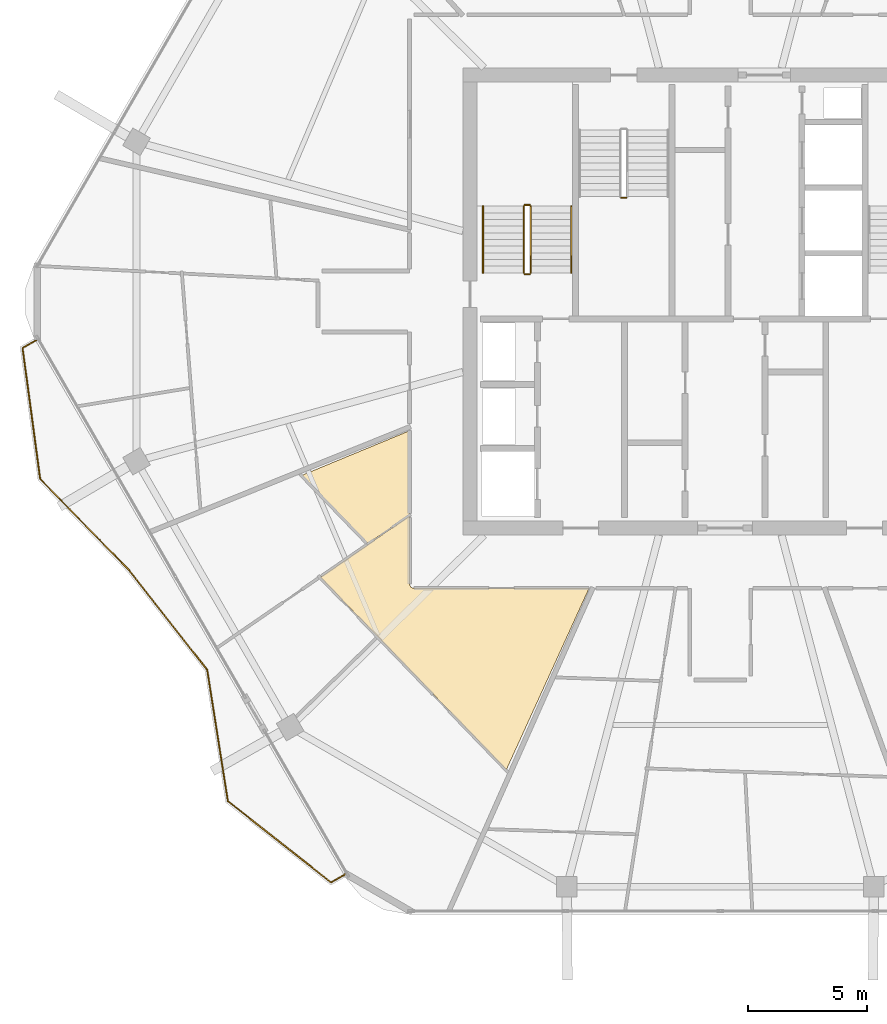
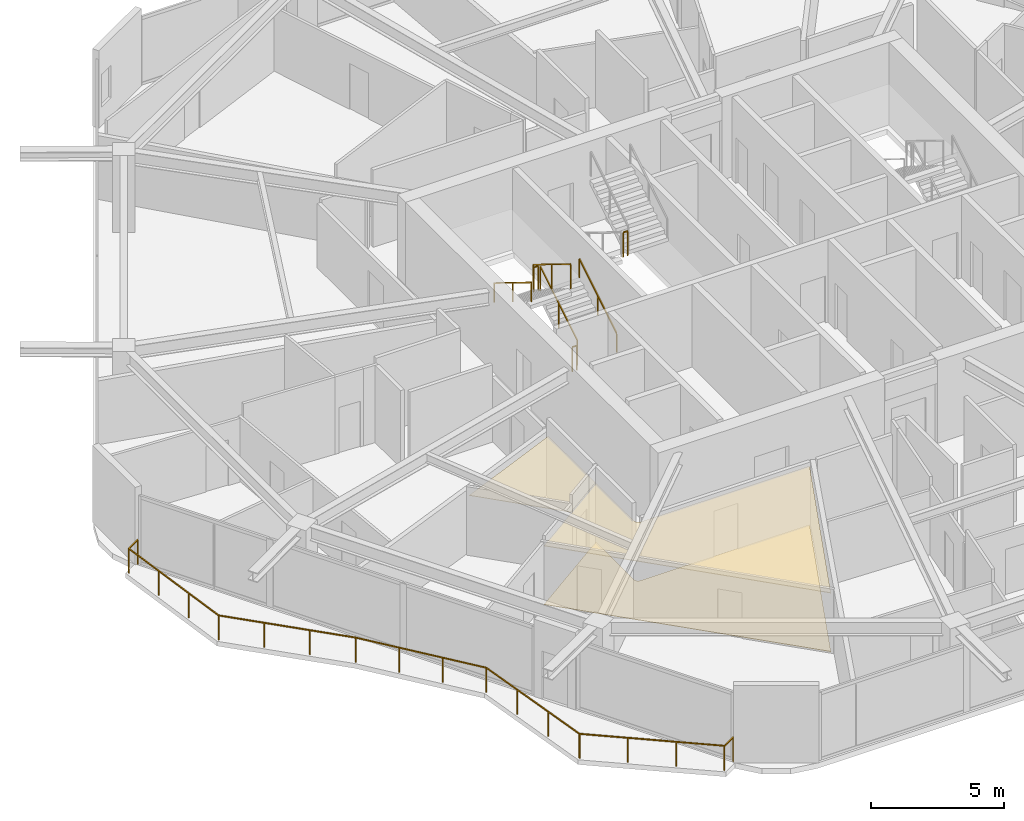
# One storey, part 24 of 26: 8 railings, 3 coverings.
"""IFC4 building model written with IfcOpenShell, lengths in metres."""

from ifc_helpers import new_model, si_unit, direction, frame, origin, origin_2d, place, context, subcontext, project, spatial, polyline, rectangle, outline, extrude, material, layer, layer_set, type_object, element, save


model = new_model("IFC4")

# Units and contexts
model_context = context("Model", 3, precision=1e-05, world=origin(), true_north=direction((0.0, 1.0)))
body_context = subcontext(model_context, "Body", "Model", "MODEL_VIEW")
ifc_project = project(units=[si_unit("LENGTHUNIT", "METRE"), si_unit("AREAUNIT", "SQUARE_METRE"), si_unit("VOLUMEUNIT", "CUBIC_METRE"), si_unit("PLANEANGLEUNIT", "RADIAN"), si_unit("MASSUNIT", "GRAM", prefix="KILO")], contexts=[model_context])

# Site, building, storey
site_placement = place(None, origin())
site = spatial("IfcSite", under=ifc_project, at=site_placement, CompositionType="ELEMENT")
building_placement = place(site_placement, origin())
building = spatial("IfcBuilding", under=site, at=building_placement, Name="Zuhravey Tower", CompositionType="ELEMENT")
storey_placement = place(building_placement, frame((0.0, 0.0, 295.800048828125)))
storey = spatial("IfcBuildingStorey", under=building, at=storey_placement, Name="L75", CompositionType="ELEMENT", Elevation=295.800048828125)

# Coverings
ifc_material_1 = material(Name="Mineral-fibre acoustic ceiling tile")
ifc_layer_1 = layer(ifc_material_1, 0.02490234375)
ifc_layer_set_1 = layer_set([ifc_layer_1], Name="Mineral-fibre acoustic ceiling tile")
covering_type_1 = type_object("IfcCoveringType", Name="Acoustic Suspended Ceiling", PredefinedType="CEILING", material=ifc_layer_set_1)
covering_1_placement = place(storey_placement, frame((0.0, 0.0, 2.68994140625)))
element("IfcCovering", 1, at=covering_1_placement, inside=storey, type_object=covering_type_1, Name="L75 Acoustic Suspended Ceiling CLG1", PredefinedType="CEILING", context=body_context, shape_type="SweptSolid", body=[
    extrude(outline(polyline([(22.969970703125, 23.007080078125), (22.969970703125, 20.14892578125), (22.97802734375, 20.0966796875), (23.0009765625, 20.04931640625), (23.03662109375, 20.01025390625), (23.08203125, 19.9833984375), (23.115966796875, 19.973388671875), (23.14990234375, 19.969970703125), (30.49560546875, 19.969970703125), (27.0263671875, 12.357177734375), (19.228759765625, 20.431884765625), (22.969970703125, 23.007080078125)])), origin(), (0.0, 0.0, 1.0), 0.02490234375),
])
ifc_material_2 = material(Name="Porcelain tile finish")
ifc_layer_2 = layer(ifc_material_2, 0.02001953125)
ifc_layer_set_2 = layer_set([ifc_layer_2], Name="Porcelain tile finish")
covering_type_2 = type_object("IfcCoveringType", Name="Apartment Ondol Porcelain Flooring", PredefinedType="FLOORING", material=ifc_layer_set_2)
covering_2_placement = place(storey_placement, origin())
element("IfcCovering", 2, at=covering_2_placement, inside=storey, type_object=covering_type_2, Name="L75 Principal Room Acoustic Flooring", PredefinedType="FLOORING", context=body_context, shape_type="SweptSolid", body=[
    extrude(outline(polyline([(22.969970703125, 23.007080078125), (22.969970703125, 20.14892578125), (22.97802734375, 20.0966796875), (23.0009765625, 20.04931640625), (23.03662109375, 20.01025390625), (23.08203125, 19.9833984375), (23.115966796875, 19.973388671875), (23.14990234375, 19.969970703125), (30.49560546875, 19.969970703125), (27.0263671875, 12.357177734375), (19.228759765625, 20.431884765625), (22.969970703125, 23.007080078125)])), origin(), (0.0, 0.0, 1.0), 0.02001953125),
])

# Railing
ifc_material_3 = material(Name="Stainless steel 316 and laminated glass", Category="steel")
railing_type_1 = type_object("IfcRailingType", Name="Balcony & Terrace Guardrail 1150", PredefinedType="BALUSTRADE", material=ifc_material_3)
railing_1_placement = place(storey_placement, frame((20.25830078125, 7.968017578125, 0.0)))
element("IfcRailing", 3, at=railing_1_placement, inside=storey, type_object=railing_type_1, Name="L75 Face 4 Wave Balcony Guardrail GR1", PredefinedType="BALUSTRADE", context=body_context, shape_type="SweptSolid", body=[
    extrude(rectangle(XDim=0.048095703125, YDim=0.048095703125, at=origin_2d()), frame((-0.001708984375, -0.0009765625, 1.1259765625), z_axis=(-0.865931497966, -0.500162614387, 0.0), x_axis=(0.500162614387, -0.865931497966, 0.0)), (0.0, 0.0, 1.0), 0.668212890625),
    extrude(rectangle(XDim=0.048095703125, YDim=0.048095703125, at=origin_2d()), frame((-0.58349609375, -0.3349609375, 1.1259765625), z_axis=(-0.785703061159, 0.618603830966, 0.0), x_axis=(-0.618603830966, -0.785703061159, 0.0)), (0.0, 0.0, 1.0), 5.507080078125),
    extrude(rectangle(XDim=0.048095703125, YDim=0.048095703125, at=origin_2d()), frame((-4.912353515625, 3.074951171875, 1.1259765625), z_axis=(-0.155879378869, 0.987776097728, 0.0), x_axis=(-0.987776097728, -0.155879378869, 0.0)), (0.0, 0.0, 1.0), 5.57177734375),
    extrude(rectangle(XDim=0.048095703125, YDim=0.048095703125, at=origin_2d()), frame((-5.782470703125, 8.58203125, 1.1259765625), z_axis=(-0.616816111332, 0.787107289257, 0.0), x_axis=(-0.787107289257, -0.616816111332, 0.0)), (0.0, 0.0, 1.0), 5.296142578125),
    extrude(rectangle(XDim=0.048095703125, YDim=0.048095703125, at=origin_2d()), frame((-9.052001953125, 12.75390625, 1.1259765625), z_axis=(-0.697744170249, 0.716347033835, 0.0), x_axis=(-0.716347033835, -0.697744170249, 0.0)), (0.0, 0.0, 1.0), 5.3505859375),
    extrude(rectangle(XDim=0.048095703125, YDim=0.048095703125, at=origin_2d()), frame((-12.786865234375, 16.590087890625, 1.1259765625), z_axis=(-0.133173947443, 0.991092679684, 0.0), x_axis=(-0.991092679684, -0.133173947443, 0.0)), (0.0, 0.0, 1.0), 5.5361328125),
    extrude(rectangle(XDim=0.048095703125, YDim=0.048095703125, at=origin_2d()), frame((-13.522705078125, 22.079833984375, 1.1259765625), z_axis=(0.866137275136, 0.499806183056, 0.0), x_axis=(-0.499806183056, 0.866137275136, 0.0)), (0.0, 0.0, 1.0), 0.669189453125),
    extrude(rectangle(XDim=0.0419921875, YDim=0.0419921875, at=origin_2d()), origin(), (0.0, 0.0, 1.0), 1.099853515625),
    extrude(rectangle(XDim=0.0419921875, YDim=0.0419921875, at=origin_2d()), frame((-0.58203125, -0.336181640625, 0.0)), (0.0, 0.0, 1.0), 1.099853515625),
    extrude(rectangle(XDim=0.0419921875, YDim=0.0419921875, at=origin_2d()), frame((-2.025390625, 0.80029296875, 0.0)), (0.0, 0.0, 1.0), 1.099853515625),
    extrude(rectangle(XDim=0.0419921875, YDim=0.0419921875, at=origin_2d()), frame((-3.46875, 1.9365234375, 0.0)), (0.0, 0.0, 1.0), 1.099853515625),
    extrude(rectangle(XDim=0.0419921875, YDim=0.0419921875, at=origin_2d()), frame((-4.912109375, 3.072998046875, 0.0)), (0.0, 0.0, 1.0), 1.099853515625),
    extrude(rectangle(XDim=0.0419921875, YDim=0.0419921875, at=origin_2d()), frame((-5.201904296875, 4.908935546875, 0.0)), (0.0, 0.0, 1.0), 1.099853515625),
    extrude(rectangle(XDim=0.0419921875, YDim=0.0419921875, at=origin_2d()), frame((-5.491455078125, 6.74462890625, 0.0)), (0.0, 0.0, 1.0), 1.099853515625),
    extrude(rectangle(XDim=0.0419921875, YDim=0.0419921875, at=origin_2d()), frame((-5.78125, 8.58056640625, 0.0)), (0.0, 0.0, 1.0), 1.099853515625),
    extrude(rectangle(XDim=0.0419921875, YDim=0.0419921875, at=origin_2d()), frame((-6.87109375, 9.97119140625, 0.0)), (0.0, 0.0, 1.0), 1.099853515625),
    extrude(rectangle(XDim=0.0419921875, YDim=0.0419921875, at=origin_2d()), frame((-7.960693359375, 11.36181640625, 0.0)), (0.0, 0.0, 1.0), 1.099853515625),
    extrude(rectangle(XDim=0.0419921875, YDim=0.0419921875, at=origin_2d()), frame((-9.050537109375, 12.75244140625, 0.0)), (0.0, 0.0, 1.0), 1.099853515625),
    extrude(rectangle(XDim=0.0419921875, YDim=0.0419921875, at=origin_2d()), frame((-10.2958984375, 14.031005859375, 0.0)), (0.0, 0.0, 1.0), 1.099853515625),
    extrude(rectangle(XDim=0.0419921875, YDim=0.0419921875, at=origin_2d()), frame((-11.541259765625, 15.3095703125, 0.0)), (0.0, 0.0, 1.0), 1.099853515625),
    extrude(rectangle(XDim=0.0419921875, YDim=0.0419921875, at=origin_2d()), frame((-12.78662109375, 16.588134765625, 0.0)), (0.0, 0.0, 1.0), 1.099853515625),
    extrude(rectangle(XDim=0.0419921875, YDim=0.0419921875, at=origin_2d()), frame((-13.032470703125, 18.41845703125, 0.0)), (0.0, 0.0, 1.0), 1.099853515625),
    extrude(rectangle(XDim=0.0419921875, YDim=0.0419921875, at=origin_2d()), frame((-13.278564453125, 20.24853515625, 0.0)), (0.0, 0.0, 1.0), 1.099853515625),
    extrude(rectangle(XDim=0.0419921875, YDim=0.0419921875, at=origin_2d()), frame((-13.5244140625, 22.078857421875, 0.0)), (0.0, 0.0, 1.0), 1.099853515625),
    extrude(rectangle(XDim=0.0419921875, YDim=0.0419921875, at=origin_2d()), frame((-12.94140625, 22.415283203125, 0.0)), (0.0, 0.0, 1.0), 1.099853515625),
])

# Covering
ifc_material_4 = material(Name="Moisture-resistant gypsum ceiling board")
ifc_layer_3 = layer(ifc_material_4, 0.02001953125)
ifc_layer_set_3 = layer_set([ifc_layer_3], Name="Moisture-resistant gypsum ceiling board")
covering_type_3 = type_object("IfcCoveringType", Name="Moisture-Resistant Ceiling", PredefinedType="CEILING", material=ifc_layer_set_3)
covering_3_placement = place(storey_placement, frame((0.0, 0.0, 2.68994140625)))
element("IfcCovering", 4, at=covering_3_placement, inside=storey, type_object=covering_type_3, Name="L75 Wet-Room Ceiling CLG2", PredefinedType="CEILING", context=body_context, shape_type="SweptSolid", body=[
    extrude(outline(polyline([(22.969970703125, 26.5810546875), (22.969970703125, 23.0556640625), (21.209228515625, 21.84375), (18.444580078125, 24.706787109375), (22.969970703125, 26.5810546875)])), origin(), (0.0, 0.0, 1.0), 0.02001953125),
])

# Railings
ifc_material_5 = material(Name="Brushed stainless steel", Category="steel")
railing_type_2 = type_object("IfcRailingType", Name="Stair Wall Handrail 900", PredefinedType="HANDRAIL", material=ifc_material_5)
railing_2_placement = place(storey_placement, frame((29.75, 33.199951171875, 0.172607421875)))
element("IfcRailing", 5, at=railing_2_placement, inside=storey, type_object=railing_type_2, Name="L75 ST1 stair handrail 1", PredefinedType="HANDRAIL", context=body_context, shape_type="SweptSolid", body=[
    extrude(rectangle(XDim=0.048095703125, YDim=0.048095703125, at=origin_2d()), frame((0.0, 0.001708984375, 0.876953125), z_axis=(0.0, 0.851089632645, 0.525020415988), x_axis=(-1.0, 0.0, 0.0)), (0.0, 0.0, 1.0), 3.285888671875),
    extrude(rectangle(XDim=0.0419921875, YDim=0.0419921875, at=origin_2d()), origin(), (0.0, 0.0, 1.0), 0.849853515625),
    extrude(rectangle(XDim=0.0419921875, YDim=0.0419921875, at=origin_2d()), frame((0.0, 1.39990234375, 0.86376953125)), (0.0, 0.0, 1.0), 0.849853515625),
    extrude(rectangle(XDim=0.0419921875, YDim=0.0419921875, at=origin_2d()), frame((0.0, 2.800048828125, 1.727294921875)), (0.0, 0.0, 1.0), 0.849853515625),
])
railing_3_placement = place(storey_placement, frame((26.050048828125, 36.0, 2.07275390625)))
element("IfcRailing", 6, at=railing_3_placement, inside=storey, type_object=railing_type_2, Name="L75 ST1 stair handrail 2", PredefinedType="HANDRAIL", context=body_context, shape_type="SweptSolid", body=[
    extrude(rectangle(XDim=0.048095703125, YDim=0.048095703125, at=origin_2d()), frame((0.0, -0.001708984375, 0.876953125), z_axis=(0.0, -0.851089632645, 0.525020415988), x_axis=(1.0, 0.0, 0.0)), (0.0, 0.0, 1.0), 3.285888671875),
    extrude(rectangle(XDim=0.0419921875, YDim=0.0419921875, at=origin_2d()), origin(), (0.0, 0.0, 1.0), 0.849853515625),
    extrude(rectangle(XDim=0.0419921875, YDim=0.0419921875, at=origin_2d()), frame((0.0, -1.39990234375, 0.86376953125)), (0.0, 0.0, 1.0), 0.849853515625),
    extrude(rectangle(XDim=0.0419921875, YDim=0.0419921875, at=origin_2d()), frame((0.0, -2.800048828125, 1.727294921875)), (0.0, 0.0, 1.0), 0.849853515625),
])
ifc_material_6 = material(Name="Painted tubular steel", Category="steel")
railing_type_3 = type_object("IfcRailingType", Name="Stair Well Guardrail 1150", PredefinedType="GUARDRAIL", material=ifc_material_6)
railing_4_placement = place(storey_placement, frame((28.050048828125, 33.199951171875, 0.172607421875)))
element("IfcRailing", 7, at=railing_4_placement, inside=storey, type_object=railing_type_3, Name="L75 ST1 stair guard 1", PredefinedType="GUARDRAIL", context=body_context, shape_type="SweptSolid", body=[
    extrude(rectangle(XDim=0.048095703125, YDim=0.048095703125, at=origin_2d()), frame((0.0, 0.001708984375, 1.126953125), z_axis=(0.0, 0.851089632645, 0.525020415988), x_axis=(-1.0, 0.0, 0.0)), (0.0, 0.0, 1.0), 3.285888671875),
    extrude(rectangle(XDim=0.0419921875, YDim=0.0419921875, at=origin_2d()), origin(), (0.0, 0.0, 1.0), 1.099853515625),
    extrude(rectangle(XDim=0.0419921875, YDim=0.0419921875, at=origin_2d()), frame((0.0, 1.39990234375, 0.86376953125)), (0.0, 0.0, 1.0), 1.099853515625),
    extrude(rectangle(XDim=0.0419921875, YDim=0.0419921875, at=origin_2d()), frame((0.0, 2.800048828125, 1.727294921875)), (0.0, 0.0, 1.0), 1.099853515625),
])
railing_5_placement = place(storey_placement, frame((28.0, 36.050048828125, 1.89990234375)))
element("IfcRailing", 8, at=railing_5_placement, inside=storey, type_object=railing_type_3, Name="L75 ST1 stair guard 2", PredefinedType="GUARDRAIL", context=body_context, shape_type="SweptSolid", body=[
    extrude(rectangle(XDim=0.048095703125, YDim=0.048095703125, at=origin_2d()), frame((-0.001953125, 0.0, 1.1259765625), z_axis=(-1.0, 0.0, 0.0), x_axis=(0.0, -1.0, 0.0)), (0.0, 0.0, 1.0), 0.196044921875),
    extrude(rectangle(XDim=0.0419921875, YDim=0.0419921875, at=origin_2d()), origin(), (0.0, 0.0, 1.0), 1.099853515625),
    extrude(rectangle(XDim=0.0419921875, YDim=0.0419921875, at=origin_2d()), frame((-0.199951171875, 0.0, 0.0)), (0.0, 0.0, 1.0), 1.099853515625),
])
railing_6_placement = place(storey_placement, frame((27.75, 36.0, 2.07275390625)))
element("IfcRailing", 9, at=railing_6_placement, inside=storey, type_object=railing_type_3, Name="L75 ST1 stair guard 3", PredefinedType="GUARDRAIL", context=body_context, shape_type="SweptSolid", body=[
    extrude(rectangle(XDim=0.048095703125, YDim=0.048095703125, at=origin_2d()), frame((0.0, -0.001708984375, 1.126953125), z_axis=(0.0, -0.851089632645, 0.525020415988), x_axis=(1.0, 0.0, 0.0)), (0.0, 0.0, 1.0), 3.285888671875),
    extrude(rectangle(XDim=0.0419921875, YDim=0.0419921875, at=origin_2d()), origin(), (0.0, 0.0, 1.0), 1.099853515625),
    extrude(rectangle(XDim=0.0419921875, YDim=0.0419921875, at=origin_2d()), frame((0.0, -1.39990234375, 0.86376953125)), (0.0, 0.0, 1.0), 1.099853515625),
    extrude(rectangle(XDim=0.0419921875, YDim=0.0419921875, at=origin_2d()), frame((0.0, -2.800048828125, 1.727294921875)), (0.0, 0.0, 1.0), 1.099853515625),
])
railing_7_placement = place(storey_placement, frame((28.0, 33.14990234375, 0.0)))
element("IfcRailing", 10, at=railing_7_placement, inside=storey, type_object=railing_type_3, Name="L75 ST1 stair guard 4", PredefinedType="GUARDRAIL", context=body_context, shape_type="SweptSolid", body=[
    extrude(rectangle(XDim=0.048095703125, YDim=0.048095703125, at=origin_2d()), frame((-0.001953125, 0.0, 1.1259765625), z_axis=(-1.0, 0.0, 0.0), x_axis=(0.0, -1.0, 0.0)), (0.0, 0.0, 1.0), 0.196044921875),
    extrude(rectangle(XDim=0.0419921875, YDim=0.0419921875, at=origin_2d()), origin(), (0.0, 0.0, 1.0), 1.099853515625),
    extrude(rectangle(XDim=0.0419921875, YDim=0.0419921875, at=origin_2d()), frame((-0.199951171875, 0.0, 0.0)), (0.0, 0.0, 1.0), 1.099853515625),
])
railing_8_placement = place(storey_placement, frame((31.85009765625, 36.35009765625, 1.89990234375)))
element("IfcRailing", 11, at=railing_8_placement, inside=storey, type_object=railing_type_3, Name="L75 ST3 stair guard 2", PredefinedType="GUARDRAIL", context=body_context, shape_type="SweptSolid", body=[
    extrude(rectangle(XDim=0.048095703125, YDim=0.048095703125, at=origin_2d()), frame((0.001953125, 0.0, 1.1259765625), z_axis=(1.0, 0.0, 0.0), x_axis=(0.0, 1.0, 0.0)), (0.0, 0.0, 1.0), 0.196044921875),
    extrude(rectangle(XDim=0.0419921875, YDim=0.0419921875, at=origin_2d()), origin(), (0.0, 0.0, 1.0), 1.099853515625),
    extrude(rectangle(XDim=0.0419921875, YDim=0.0419921875, at=origin_2d()), frame((0.199951171875, 0.0, 0.0)), (0.0, 0.0, 1.0), 1.099853515625),
])

save(model, "model.ifc")
